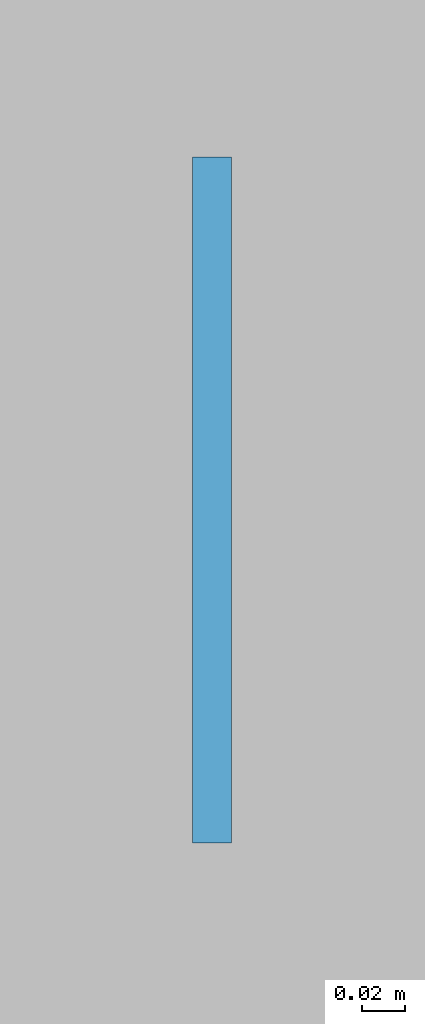
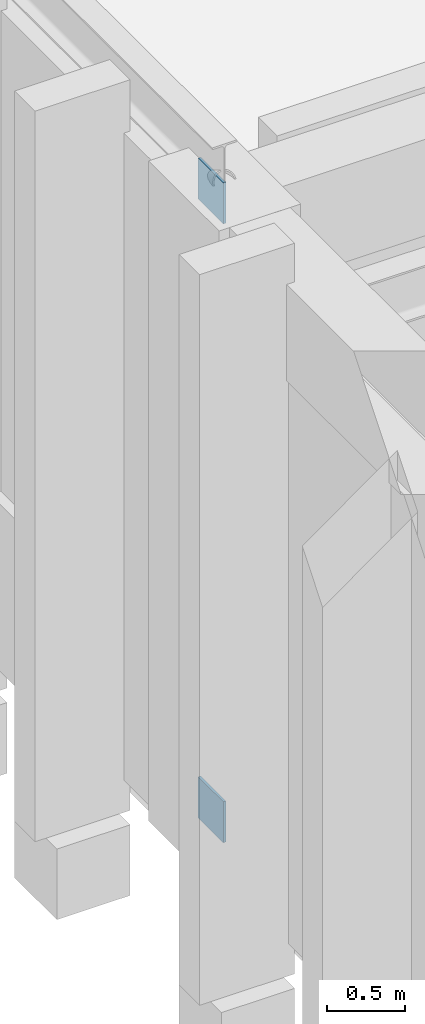
# One storey, part 80 of 143: 2 plates.
"""IFC4 building model written with IfcOpenShell, lengths in metres."""

from ifc_helpers import new_model, si_unit, direction, frame, origin, origin_2d, place, context, subcontext, project, spatial, rectangle, extrude, material, layer, layer_set, type_object, element, save


model = new_model("IFC4")

# Units and contexts
model_context = context("Model", 3, precision=1e-05, world=origin(), true_north=direction((0.0, 1.0)))
body_context = subcontext(model_context, "Body", "Model", "MODEL_VIEW")
ifc_project = project(units=[si_unit("LENGTHUNIT", "METRE"), si_unit("AREAUNIT", "SQUARE_METRE"), si_unit("VOLUMEUNIT", "CUBIC_METRE"), si_unit("PLANEANGLEUNIT", "RADIAN"), si_unit("MASSUNIT", "GRAM", prefix="KILO")], contexts=[model_context])

# Site, building, storey
site_placement = place(None, origin())
site = spatial("IfcSite", under=ifc_project, at=site_placement, CompositionType="ELEMENT")
building_placement = place(site_placement, origin())
building = spatial("IfcBuilding", under=site, at=building_placement, Name="Kveldsbrygga Polytechnic", CompositionType="ELEMENT")
storey_placement = place(building_placement, origin())
storey = spatial("IfcBuildingStorey", under=building, at=storey_placement, Name="L00", CompositionType="ELEMENT", Elevation=0.0)

# Plates
ifc_material = material(Name="Steel S355", Category="steel")
ifc_layer = layer(ifc_material, 0.01806640625)
ifc_layer_set = layer_set([ifc_layer], Name="Steel S355")
plate_type = type_object("IfcPlateType", Name="GUS-BRACE-320", PredefinedType="SHEET", material=ifc_layer_set)
for number, where, z_axis, x_axis, name in (
    (1, (0.0, 25.360107421875, 0.0), (0.0, 0.0, 1.0), (1.0, 0.0, 0.0), "Portal Brace End Gusset XGP-VBR-L00-W-3-1"),
    (2, (0.0, 25.360107421875, 4.81982421875), (0.0, 0.0, 1.0), (1.0, 0.0, 0.0), "Portal Brace End Gusset XGP-VBR-L00-W-3-4"),
):
    element("IfcPlate", number, at=place(storey_placement, frame(where, z_axis=z_axis, x_axis=x_axis)), inside=storey, type_object=plate_type, Name=name, PredefinedType="SHEET", context=body_context, shape_type="SweptSolid", body=[
        extrude(rectangle(XDim=0.01806640625, YDim=0.320068359375, at=origin_2d()), origin(), (0.0, 0.0, 1.0), 0.320068359375),
    ])

save(model, "model.ifc")
